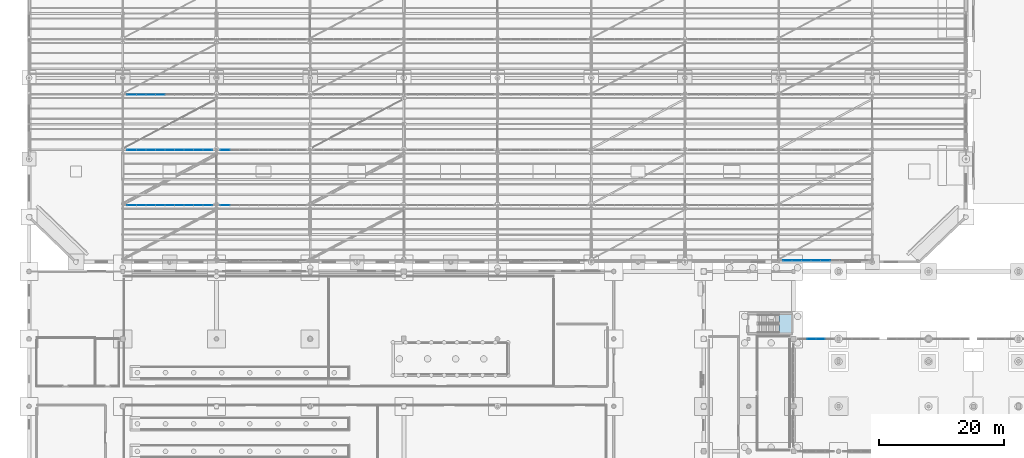
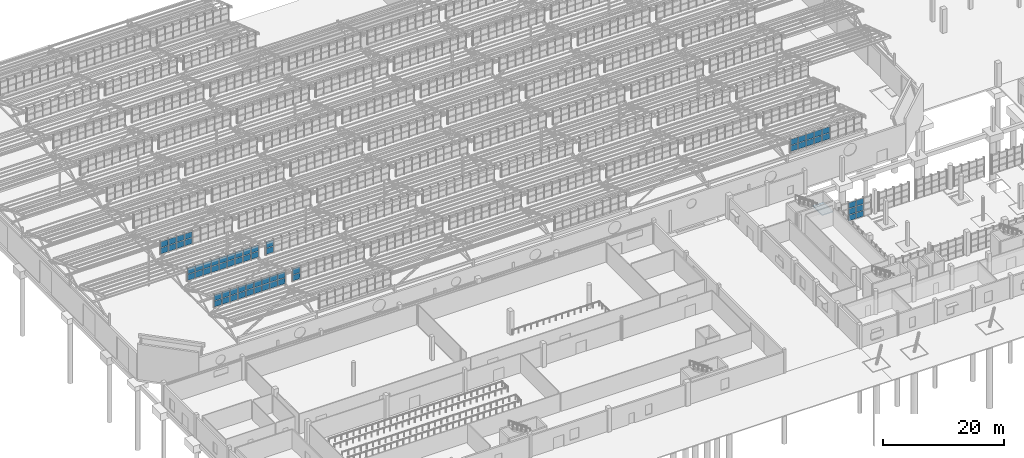
# One storey, part 164 of 285: 64 plates, 1 slab, 8 elements without a shape of their own.
"""IFC4 building model written with IfcOpenShell, lengths in metres."""

from ifc_helpers import new_model, si_unit, direction, frame, origin, origin_2d, place, context, subcontext, project, spatial, polyline, rectangle, outline, extrude, material, layer, layer_set, type_object, element, aggregate, save


model = new_model("IFC4")

# Units and contexts
model_context = context("Model", 3, precision=1e-05, world=origin(), true_north=direction((0.0, 1.0)))
body_context = subcontext(model_context, "Body", "Model", "MODEL_VIEW")
ifc_project = project(units=[si_unit("LENGTHUNIT", "METRE"), si_unit("AREAUNIT", "SQUARE_METRE"), si_unit("VOLUMEUNIT", "CUBIC_METRE"), si_unit("PLANEANGLEUNIT", "RADIAN"), si_unit("MASSUNIT", "GRAM", prefix="KILO")], contexts=[model_context])

# Site, building, storey
site_placement = place(None, origin())
site = spatial("IfcSite", under=ifc_project, at=site_placement, CompositionType="ELEMENT")
building_placement = place(site_placement, origin())
building = spatial("IfcBuilding", under=site, at=building_placement, Name="Solanera Park Tramway Depot", CompositionType="ELEMENT")
storey_placement = place(building_placement, origin())
storey = spatial("IfcBuildingStorey", under=building, at=storey_placement, Name="L00", CompositionType="ELEMENT", Elevation=0.0)

# Curtain wall, plates
ifc_material_1 = material(Name="Bronze-anodised thermally broken aluminium curtain wall", Category="aluminium")
curtain_wall_type_1 = type_object("IfcCurtainWallType", Name="Sawtooth Clerestory Monitor Curtain Wall", PredefinedType="NOTDEFINED", material=ifc_material_1)
curtain_wall_1_placement = place(storey_placement, origin())
curtain_wall_1 = element("IfcCurtainWall", 1, at=curtain_wall_1_placement, inside=storey, type_object=curtain_wall_type_1, Name="L00 Sawtooth Clerestory Monitor Curtain Wall #003", PredefinedType="NOTDEFINED")
ifc_material_2 = material(Name="Low-E laminated solar-control double glazing", Category="glass")
ifc_layer_1 = layer(ifc_material_2, 0.028076171875)
ifc_layer_set_1 = layer_set([ifc_layer_1], Name="Low-E laminated solar-control double glazing")
plate_type = type_object("IfcPlateType", Name="Curtain Wall Double Glazing Panel 28", PredefinedType="CURTAIN_PANEL", material=ifc_layer_set_1)
plate_1_placement = place(storey_placement, frame((121.427490234375, 55.75, 7.862060546875), z_axis=(0.0, 0.0, 1.0), x_axis=(1.0, 0.0, 0.0)))
plate_1 = element("IfcPlate", 2, at=plate_1_placement, type_object=plate_type, Name="CW-L00-003 Glazing Panel R1.C1", PredefinedType="CURTAIN_PANEL", context=body_context, shape_type="SweptSolid", body=[
    extrude(rectangle(XDim=1.437744140625, YDim=0.028076171875, at=origin_2d()), origin(), (0.0, 0.0, 1.0), 1.16650390625),
])
plate_2_placement = place(storey_placement, frame((122.933349609375, 55.75, 7.862060546875), z_axis=(0.0, 0.0, 1.0), x_axis=(1.0, 0.0, 0.0)))
plate_2 = element("IfcPlate", 3, at=plate_2_placement, type_object=plate_type, Name="CW-L00-003 Glazing Panel R1.C2", PredefinedType="CURTAIN_PANEL", context=body_context, shape_type="SweptSolid", body=[
    extrude(rectangle(XDim=1.47021484375, YDim=0.028076171875, at=origin_2d()), origin(), (0.0, 0.0, 1.0), 1.16650390625),
])
plate_3_placement = place(storey_placement, frame((124.45556640625, 55.75, 7.862060546875), z_axis=(0.0, 0.0, 1.0), x_axis=(1.0, 0.0, 0.0)))
plate_3 = element("IfcPlate", 4, at=plate_3_placement, type_object=plate_type, Name="CW-L00-003 Glazing Panel R1.C3", PredefinedType="CURTAIN_PANEL", context=body_context, shape_type="SweptSolid", body=[
    extrude(rectangle(XDim=1.47021484375, YDim=0.028076171875, at=origin_2d()), origin(), (0.0, 0.0, 1.0), 1.16650390625),
])
plate_4_placement = place(storey_placement, frame((125.977783203125, 55.75, 7.862060546875), z_axis=(0.0, 0.0, 1.0), x_axis=(1.0, 0.0, 0.0)))
plate_4 = element("IfcPlate", 5, at=plate_4_placement, type_object=plate_type, Name="CW-L00-003 Glazing Panel R1.C4", PredefinedType="CURTAIN_PANEL", context=body_context, shape_type="SweptSolid", body=[
    extrude(rectangle(XDim=1.47021484375, YDim=0.028076171875, at=origin_2d()), origin(), (0.0, 0.0, 1.0), 1.16650390625),
])
plate_5_placement = place(storey_placement, frame((127.5, 55.75, 7.862060546875), z_axis=(0.0, 0.0, 1.0), x_axis=(1.0, 0.0, 0.0)))
plate_5 = element("IfcPlate", 6, at=plate_5_placement, type_object=plate_type, Name="CW-L00-003 Glazing Panel R1.C5", PredefinedType="CURTAIN_PANEL", context=body_context, shape_type="SweptSolid", body=[
    extrude(rectangle(XDim=1.47021484375, YDim=0.028076171875, at=origin_2d()), origin(), (0.0, 0.0, 1.0), 1.16650390625),
])
plate_6_placement = place(storey_placement, frame((121.427490234375, 55.75, 9.132568359375), z_axis=(0.0, 0.0, 1.0), x_axis=(1.0, 0.0, 0.0)))
plate_6 = element("IfcPlate", 7, at=plate_6_placement, type_object=plate_type, Name="CW-L00-003 Glazing Panel R2.C1", PredefinedType="CURTAIN_PANEL", context=body_context, shape_type="SweptSolid", body=[
    extrude(rectangle(XDim=1.437744140625, YDim=0.028076171875, at=origin_2d()), origin(), (0.0, 0.0, 1.0), 1.16650390625),
])
plate_7_placement = place(storey_placement, frame((122.933349609375, 55.75, 9.132568359375), z_axis=(0.0, 0.0, 1.0), x_axis=(1.0, 0.0, 0.0)))
plate_7 = element("IfcPlate", 8, at=plate_7_placement, type_object=plate_type, Name="CW-L00-003 Glazing Panel R2.C2", PredefinedType="CURTAIN_PANEL", context=body_context, shape_type="SweptSolid", body=[
    extrude(rectangle(XDim=1.47021484375, YDim=0.028076171875, at=origin_2d()), origin(), (0.0, 0.0, 1.0), 1.16650390625),
])
plate_8_placement = place(storey_placement, frame((124.45556640625, 55.75, 9.132568359375), z_axis=(0.0, 0.0, 1.0), x_axis=(1.0, 0.0, 0.0)))
plate_8 = element("IfcPlate", 9, at=plate_8_placement, type_object=plate_type, Name="CW-L00-003 Glazing Panel R2.C3", PredefinedType="CURTAIN_PANEL", context=body_context, shape_type="SweptSolid", body=[
    extrude(rectangle(XDim=1.47021484375, YDim=0.028076171875, at=origin_2d()), origin(), (0.0, 0.0, 1.0), 1.16650390625),
])
plate_9_placement = place(storey_placement, frame((125.977783203125, 55.75, 9.132568359375), z_axis=(0.0, 0.0, 1.0), x_axis=(1.0, 0.0, 0.0)))
plate_9 = element("IfcPlate", 10, at=plate_9_placement, type_object=plate_type, Name="CW-L00-003 Glazing Panel R2.C4", PredefinedType="CURTAIN_PANEL", context=body_context, shape_type="SweptSolid", body=[
    extrude(rectangle(XDim=1.47021484375, YDim=0.028076171875, at=origin_2d()), origin(), (0.0, 0.0, 1.0), 1.16650390625),
])
plate_10_placement = place(storey_placement, frame((127.5, 55.75, 9.132568359375), z_axis=(0.0, 0.0, 1.0), x_axis=(1.0, 0.0, 0.0)))
plate_10 = element("IfcPlate", 11, at=plate_10_placement, type_object=plate_type, Name="CW-L00-003 Glazing Panel R2.C5", PredefinedType="CURTAIN_PANEL", context=body_context, shape_type="SweptSolid", body=[
    extrude(rectangle(XDim=1.47021484375, YDim=0.028076171875, at=origin_2d()), origin(), (0.0, 0.0, 1.0), 1.16650390625),
])
aggregate(curtain_wall_1, [plate_1, plate_2, plate_3, plate_4, plate_5, plate_6, plate_7, plate_8, plate_9, plate_10])

curtain_wall_2_placement = place(storey_placement, origin())
curtain_wall_2 = element("IfcCurtainWall", 12, at=curtain_wall_2_placement, inside=storey, type_object=curtain_wall_type_1, Name="L00 Sawtooth Clerestory Monitor Curtain Wall #004", PredefinedType="NOTDEFINED")
plate_11_placement = place(storey_placement, frame((16.427490234375, 64.60009765625, 7.862060546875), z_axis=(0.0, 0.0, 1.0), x_axis=(1.0, 0.0, 0.0)))
plate_11 = element("IfcPlate", 13, at=plate_11_placement, type_object=plate_type, Name="CW-L00-004 Glazing Panel R1.C1", PredefinedType="CURTAIN_PANEL", context=body_context, shape_type="SweptSolid", body=[
    extrude(rectangle(XDim=1.437744140625, YDim=0.028076171875, at=origin_2d()), origin(), (0.0, 0.0, 1.0), 1.16650390625),
])
plate_12_placement = place(storey_placement, frame((17.933349609375, 64.60009765625, 7.862060546875), z_axis=(0.0, 0.0, 1.0), x_axis=(1.0, 0.0, 0.0)))
plate_12 = element("IfcPlate", 14, at=plate_12_placement, type_object=plate_type, Name="CW-L00-004 Glazing Panel R1.C2", PredefinedType="CURTAIN_PANEL", context=body_context, shape_type="SweptSolid", body=[
    extrude(rectangle(XDim=1.47021484375, YDim=0.028076171875, at=origin_2d()), origin(), (0.0, 0.0, 1.0), 1.16650390625),
])
plate_13_placement = place(storey_placement, frame((19.45556640625, 64.60009765625, 7.862060546875), z_axis=(0.0, 0.0, 1.0), x_axis=(1.0, 0.0, 0.0)))
plate_13 = element("IfcPlate", 15, at=plate_13_placement, type_object=plate_type, Name="CW-L00-004 Glazing Panel R1.C3", PredefinedType="CURTAIN_PANEL", context=body_context, shape_type="SweptSolid", body=[
    extrude(rectangle(XDim=1.47021484375, YDim=0.028076171875, at=origin_2d()), origin(), (0.0, 0.0, 1.0), 1.16650390625),
])
plate_14_placement = place(storey_placement, frame((20.977783203125, 64.60009765625, 7.862060546875), z_axis=(0.0, 0.0, 1.0), x_axis=(1.0, 0.0, 0.0)))
plate_14 = element("IfcPlate", 16, at=plate_14_placement, type_object=plate_type, Name="CW-L00-004 Glazing Panel R1.C4", PredefinedType="CURTAIN_PANEL", context=body_context, shape_type="SweptSolid", body=[
    extrude(rectangle(XDim=1.47021484375, YDim=0.028076171875, at=origin_2d()), origin(), (0.0, 0.0, 1.0), 1.16650390625),
])
plate_15_placement = place(storey_placement, frame((22.5, 64.60009765625, 7.862060546875), z_axis=(0.0, 0.0, 1.0), x_axis=(1.0, 0.0, 0.0)))
plate_15 = element("IfcPlate", 17, at=plate_15_placement, type_object=plate_type, Name="CW-L00-004 Glazing Panel R1.C5", PredefinedType="CURTAIN_PANEL", context=body_context, shape_type="SweptSolid", body=[
    extrude(rectangle(XDim=1.47021484375, YDim=0.028076171875, at=origin_2d()), origin(), (0.0, 0.0, 1.0), 1.16650390625),
])
plate_16_placement = place(storey_placement, frame((24.022216796875, 64.60009765625, 7.862060546875), z_axis=(0.0, 0.0, 1.0), x_axis=(1.0, 0.0, 0.0)))
plate_16 = element("IfcPlate", 18, at=plate_16_placement, type_object=plate_type, Name="CW-L00-004 Glazing Panel R1.C6", PredefinedType="CURTAIN_PANEL", context=body_context, shape_type="SweptSolid", body=[
    extrude(rectangle(XDim=1.47021484375, YDim=0.028076171875, at=origin_2d()), origin(), (0.0, 0.0, 1.0), 1.16650390625),
])
plate_17_placement = place(storey_placement, frame((25.54443359375, 64.60009765625, 7.862060546875), z_axis=(0.0, 0.0, 1.0), x_axis=(1.0, 0.0, 0.0)))
plate_17 = element("IfcPlate", 19, at=plate_17_placement, type_object=plate_type, Name="CW-L00-004 Glazing Panel R1.C7", PredefinedType="CURTAIN_PANEL", context=body_context, shape_type="SweptSolid", body=[
    extrude(rectangle(XDim=1.47021484375, YDim=0.028076171875, at=origin_2d()), origin(), (0.0, 0.0, 1.0), 1.16650390625),
])
plate_18_placement = place(storey_placement, frame((27.066650390625, 64.60009765625, 7.862060546875), z_axis=(0.0, 0.0, 1.0), x_axis=(1.0, 0.0, 0.0)))
plate_18 = element("IfcPlate", 20, at=plate_18_placement, type_object=plate_type, Name="CW-L00-004 Glazing Panel R1.C8", PredefinedType="CURTAIN_PANEL", context=body_context, shape_type="SweptSolid", body=[
    extrude(rectangle(XDim=1.47021484375, YDim=0.028076171875, at=origin_2d()), origin(), (0.0, 0.0, 1.0), 1.16650390625),
])
plate_19_placement = place(storey_placement, frame((28.572509765625, 64.60009765625, 7.862060546875), z_axis=(0.0, 0.0, 1.0), x_axis=(1.0, 0.0, 0.0)))
plate_19 = element("IfcPlate", 21, at=plate_19_placement, type_object=plate_type, Name="CW-L00-004 Glazing Panel R1.C9", PredefinedType="CURTAIN_PANEL", context=body_context, shape_type="SweptSolid", body=[
    extrude(rectangle(XDim=1.437744140625, YDim=0.028076171875, at=origin_2d()), origin(), (0.0, 0.0, 1.0), 1.16650390625),
])
plate_20_placement = place(storey_placement, frame((16.427490234375, 64.60009765625, 9.132568359375), z_axis=(0.0, 0.0, 1.0), x_axis=(1.0, 0.0, 0.0)))
plate_20 = element("IfcPlate", 22, at=plate_20_placement, type_object=plate_type, Name="CW-L00-004 Glazing Panel R2.C1", PredefinedType="CURTAIN_PANEL", context=body_context, shape_type="SweptSolid", body=[
    extrude(rectangle(XDim=1.437744140625, YDim=0.028076171875, at=origin_2d()), origin(), (0.0, 0.0, 1.0), 1.16650390625),
])
plate_21_placement = place(storey_placement, frame((17.933349609375, 64.60009765625, 9.132568359375), z_axis=(0.0, 0.0, 1.0), x_axis=(1.0, 0.0, 0.0)))
plate_21 = element("IfcPlate", 23, at=plate_21_placement, type_object=plate_type, Name="CW-L00-004 Glazing Panel R2.C2", PredefinedType="CURTAIN_PANEL", context=body_context, shape_type="SweptSolid", body=[
    extrude(rectangle(XDim=1.47021484375, YDim=0.028076171875, at=origin_2d()), origin(), (0.0, 0.0, 1.0), 1.16650390625),
])
plate_22_placement = place(storey_placement, frame((19.45556640625, 64.60009765625, 9.132568359375), z_axis=(0.0, 0.0, 1.0), x_axis=(1.0, 0.0, 0.0)))
plate_22 = element("IfcPlate", 24, at=plate_22_placement, type_object=plate_type, Name="CW-L00-004 Glazing Panel R2.C3", PredefinedType="CURTAIN_PANEL", context=body_context, shape_type="SweptSolid", body=[
    extrude(rectangle(XDim=1.47021484375, YDim=0.028076171875, at=origin_2d()), origin(), (0.0, 0.0, 1.0), 1.16650390625),
])
plate_23_placement = place(storey_placement, frame((20.977783203125, 64.60009765625, 9.132568359375), z_axis=(0.0, 0.0, 1.0), x_axis=(1.0, 0.0, 0.0)))
plate_23 = element("IfcPlate", 25, at=plate_23_placement, type_object=plate_type, Name="CW-L00-004 Glazing Panel R2.C4", PredefinedType="CURTAIN_PANEL", context=body_context, shape_type="SweptSolid", body=[
    extrude(rectangle(XDim=1.47021484375, YDim=0.028076171875, at=origin_2d()), origin(), (0.0, 0.0, 1.0), 1.16650390625),
])
plate_24_placement = place(storey_placement, frame((22.5, 64.60009765625, 9.132568359375), z_axis=(0.0, 0.0, 1.0), x_axis=(1.0, 0.0, 0.0)))
plate_24 = element("IfcPlate", 26, at=plate_24_placement, type_object=plate_type, Name="CW-L00-004 Glazing Panel R2.C5", PredefinedType="CURTAIN_PANEL", context=body_context, shape_type="SweptSolid", body=[
    extrude(rectangle(XDim=1.47021484375, YDim=0.028076171875, at=origin_2d()), origin(), (0.0, 0.0, 1.0), 1.16650390625),
])
plate_25_placement = place(storey_placement, frame((24.022216796875, 64.60009765625, 9.132568359375), z_axis=(0.0, 0.0, 1.0), x_axis=(1.0, 0.0, 0.0)))
plate_25 = element("IfcPlate", 27, at=plate_25_placement, type_object=plate_type, Name="CW-L00-004 Glazing Panel R2.C6", PredefinedType="CURTAIN_PANEL", context=body_context, shape_type="SweptSolid", body=[
    extrude(rectangle(XDim=1.47021484375, YDim=0.028076171875, at=origin_2d()), origin(), (0.0, 0.0, 1.0), 1.16650390625),
])
plate_26_placement = place(storey_placement, frame((25.54443359375, 64.60009765625, 9.132568359375), z_axis=(0.0, 0.0, 1.0), x_axis=(1.0, 0.0, 0.0)))
plate_26 = element("IfcPlate", 28, at=plate_26_placement, type_object=plate_type, Name="CW-L00-004 Glazing Panel R2.C7", PredefinedType="CURTAIN_PANEL", context=body_context, shape_type="SweptSolid", body=[
    extrude(rectangle(XDim=1.47021484375, YDim=0.028076171875, at=origin_2d()), origin(), (0.0, 0.0, 1.0), 1.16650390625),
])
plate_27_placement = place(storey_placement, frame((27.066650390625, 64.60009765625, 9.132568359375), z_axis=(0.0, 0.0, 1.0), x_axis=(1.0, 0.0, 0.0)))
plate_27 = element("IfcPlate", 29, at=plate_27_placement, type_object=plate_type, Name="CW-L00-004 Glazing Panel R2.C8", PredefinedType="CURTAIN_PANEL", context=body_context, shape_type="SweptSolid", body=[
    extrude(rectangle(XDim=1.47021484375, YDim=0.028076171875, at=origin_2d()), origin(), (0.0, 0.0, 1.0), 1.16650390625),
])
plate_28_placement = place(storey_placement, frame((28.572509765625, 64.60009765625, 9.132568359375), z_axis=(0.0, 0.0, 1.0), x_axis=(1.0, 0.0, 0.0)))
plate_28 = element("IfcPlate", 30, at=plate_28_placement, type_object=plate_type, Name="CW-L00-004 Glazing Panel R2.C9", PredefinedType="CURTAIN_PANEL", context=body_context, shape_type="SweptSolid", body=[
    extrude(rectangle(XDim=1.437744140625, YDim=0.028076171875, at=origin_2d()), origin(), (0.0, 0.0, 1.0), 1.16650390625),
])
aggregate(curtain_wall_2, [plate_11, plate_12, plate_13, plate_14, plate_15, plate_16, plate_17, plate_18, plate_19, plate_20, plate_21, plate_22, plate_23, plate_24, plate_25, plate_26, plate_27, plate_28])

curtain_wall_3_placement = place(storey_placement, origin())
curtain_wall_3 = element("IfcCurtainWall", 31, at=curtain_wall_3_placement, inside=storey, type_object=curtain_wall_type_1, Name="L00 Sawtooth Clerestory Monitor Curtain Wall #005", PredefinedType="NOTDEFINED")
plate_29_placement = place(storey_placement, frame((31.427490234375, 64.60009765625, 7.862060546875), z_axis=(0.0, 0.0, 1.0), x_axis=(1.0, 0.0, 0.0)))
plate_29 = element("IfcPlate", 32, at=plate_29_placement, type_object=plate_type, Name="CW-L00-005 Glazing Panel R1.C1", PredefinedType="CURTAIN_PANEL", context=body_context, shape_type="SweptSolid", body=[
    extrude(rectangle(XDim=1.437744140625, YDim=0.028076171875, at=origin_2d()), origin(), (0.0, 0.0, 1.0), 1.16650390625),
])
plate_30_placement = place(storey_placement, frame((31.427490234375, 64.60009765625, 9.132568359375), z_axis=(0.0, 0.0, 1.0), x_axis=(1.0, 0.0, 0.0)))
plate_30 = element("IfcPlate", 33, at=plate_30_placement, type_object=plate_type, Name="CW-L00-005 Glazing Panel R2.C1", PredefinedType="CURTAIN_PANEL", context=body_context, shape_type="SweptSolid", body=[
    extrude(rectangle(XDim=1.437744140625, YDim=0.028076171875, at=origin_2d()), origin(), (0.0, 0.0, 1.0), 1.16650390625),
])
aggregate(curtain_wall_3, [plate_29, plate_30])

curtain_wall_4_placement = place(storey_placement, origin())
curtain_wall_4 = element("IfcCurtainWall", 34, at=curtain_wall_4_placement, inside=storey, type_object=curtain_wall_type_1, Name="L00 Sawtooth Clerestory Monitor Curtain Wall #012", PredefinedType="NOTDEFINED")
plate_31_placement = place(storey_placement, frame((16.427490234375, 73.449951171875, 7.862060546875), z_axis=(0.0, 0.0, 1.0), x_axis=(1.0, 0.0, 0.0)))
plate_31 = element("IfcPlate", 35, at=plate_31_placement, type_object=plate_type, Name="CW-L00-012 Glazing Panel R1.C1", PredefinedType="CURTAIN_PANEL", context=body_context, shape_type="SweptSolid", body=[
    extrude(rectangle(XDim=1.437744140625, YDim=0.028076171875, at=origin_2d()), origin(), (0.0, 0.0, 1.0), 1.16650390625),
])
plate_32_placement = place(storey_placement, frame((17.933349609375, 73.449951171875, 7.862060546875), z_axis=(0.0, 0.0, 1.0), x_axis=(1.0, 0.0, 0.0)))
plate_32 = element("IfcPlate", 36, at=plate_32_placement, type_object=plate_type, Name="CW-L00-012 Glazing Panel R1.C2", PredefinedType="CURTAIN_PANEL", context=body_context, shape_type="SweptSolid", body=[
    extrude(rectangle(XDim=1.47021484375, YDim=0.028076171875, at=origin_2d()), origin(), (0.0, 0.0, 1.0), 1.16650390625),
])
plate_33_placement = place(storey_placement, frame((19.45556640625, 73.449951171875, 7.862060546875), z_axis=(0.0, 0.0, 1.0), x_axis=(1.0, 0.0, 0.0)))
plate_33 = element("IfcPlate", 37, at=plate_33_placement, type_object=plate_type, Name="CW-L00-012 Glazing Panel R1.C3", PredefinedType="CURTAIN_PANEL", context=body_context, shape_type="SweptSolid", body=[
    extrude(rectangle(XDim=1.47021484375, YDim=0.028076171875, at=origin_2d()), origin(), (0.0, 0.0, 1.0), 1.16650390625),
])
plate_34_placement = place(storey_placement, frame((20.977783203125, 73.449951171875, 7.862060546875), z_axis=(0.0, 0.0, 1.0), x_axis=(1.0, 0.0, 0.0)))
plate_34 = element("IfcPlate", 38, at=plate_34_placement, type_object=plate_type, Name="CW-L00-012 Glazing Panel R1.C4", PredefinedType="CURTAIN_PANEL", context=body_context, shape_type="SweptSolid", body=[
    extrude(rectangle(XDim=1.47021484375, YDim=0.028076171875, at=origin_2d()), origin(), (0.0, 0.0, 1.0), 1.16650390625),
])
plate_35_placement = place(storey_placement, frame((22.5, 73.449951171875, 7.862060546875), z_axis=(0.0, 0.0, 1.0), x_axis=(1.0, 0.0, 0.0)))
plate_35 = element("IfcPlate", 39, at=plate_35_placement, type_object=plate_type, Name="CW-L00-012 Glazing Panel R1.C5", PredefinedType="CURTAIN_PANEL", context=body_context, shape_type="SweptSolid", body=[
    extrude(rectangle(XDim=1.47021484375, YDim=0.028076171875, at=origin_2d()), origin(), (0.0, 0.0, 1.0), 1.16650390625),
])
plate_36_placement = place(storey_placement, frame((24.022216796875, 73.449951171875, 7.862060546875), z_axis=(0.0, 0.0, 1.0), x_axis=(1.0, 0.0, 0.0)))
plate_36 = element("IfcPlate", 40, at=plate_36_placement, type_object=plate_type, Name="CW-L00-012 Glazing Panel R1.C6", PredefinedType="CURTAIN_PANEL", context=body_context, shape_type="SweptSolid", body=[
    extrude(rectangle(XDim=1.47021484375, YDim=0.028076171875, at=origin_2d()), origin(), (0.0, 0.0, 1.0), 1.16650390625),
])
plate_37_placement = place(storey_placement, frame((25.54443359375, 73.449951171875, 7.862060546875), z_axis=(0.0, 0.0, 1.0), x_axis=(1.0, 0.0, 0.0)))
plate_37 = element("IfcPlate", 41, at=plate_37_placement, type_object=plate_type, Name="CW-L00-012 Glazing Panel R1.C7", PredefinedType="CURTAIN_PANEL", context=body_context, shape_type="SweptSolid", body=[
    extrude(rectangle(XDim=1.47021484375, YDim=0.028076171875, at=origin_2d()), origin(), (0.0, 0.0, 1.0), 1.16650390625),
])
plate_38_placement = place(storey_placement, frame((27.066650390625, 73.449951171875, 7.862060546875), z_axis=(0.0, 0.0, 1.0), x_axis=(1.0, 0.0, 0.0)))
plate_38 = element("IfcPlate", 42, at=plate_38_placement, type_object=plate_type, Name="CW-L00-012 Glazing Panel R1.C8", PredefinedType="CURTAIN_PANEL", context=body_context, shape_type="SweptSolid", body=[
    extrude(rectangle(XDim=1.47021484375, YDim=0.028076171875, at=origin_2d()), origin(), (0.0, 0.0, 1.0), 1.16650390625),
])
plate_39_placement = place(storey_placement, frame((28.572509765625, 73.449951171875, 7.862060546875), z_axis=(0.0, 0.0, 1.0), x_axis=(1.0, 0.0, 0.0)))
plate_39 = element("IfcPlate", 43, at=plate_39_placement, type_object=plate_type, Name="CW-L00-012 Glazing Panel R1.C9", PredefinedType="CURTAIN_PANEL", context=body_context, shape_type="SweptSolid", body=[
    extrude(rectangle(XDim=1.437744140625, YDim=0.028076171875, at=origin_2d()), origin(), (0.0, 0.0, 1.0), 1.16650390625),
])
plate_40_placement = place(storey_placement, frame((16.427490234375, 73.449951171875, 9.132568359375), z_axis=(0.0, 0.0, 1.0), x_axis=(1.0, 0.0, 0.0)))
plate_40 = element("IfcPlate", 44, at=plate_40_placement, type_object=plate_type, Name="CW-L00-012 Glazing Panel R2.C1", PredefinedType="CURTAIN_PANEL", context=body_context, shape_type="SweptSolid", body=[
    extrude(rectangle(XDim=1.437744140625, YDim=0.028076171875, at=origin_2d()), origin(), (0.0, 0.0, 1.0), 1.16650390625),
])
plate_41_placement = place(storey_placement, frame((17.933349609375, 73.449951171875, 9.132568359375), z_axis=(0.0, 0.0, 1.0), x_axis=(1.0, 0.0, 0.0)))
plate_41 = element("IfcPlate", 45, at=plate_41_placement, type_object=plate_type, Name="CW-L00-012 Glazing Panel R2.C2", PredefinedType="CURTAIN_PANEL", context=body_context, shape_type="SweptSolid", body=[
    extrude(rectangle(XDim=1.47021484375, YDim=0.028076171875, at=origin_2d()), origin(), (0.0, 0.0, 1.0), 1.16650390625),
])
plate_42_placement = place(storey_placement, frame((19.45556640625, 73.449951171875, 9.132568359375), z_axis=(0.0, 0.0, 1.0), x_axis=(1.0, 0.0, 0.0)))
plate_42 = element("IfcPlate", 46, at=plate_42_placement, type_object=plate_type, Name="CW-L00-012 Glazing Panel R2.C3", PredefinedType="CURTAIN_PANEL", context=body_context, shape_type="SweptSolid", body=[
    extrude(rectangle(XDim=1.47021484375, YDim=0.028076171875, at=origin_2d()), origin(), (0.0, 0.0, 1.0), 1.16650390625),
])
plate_43_placement = place(storey_placement, frame((20.977783203125, 73.449951171875, 9.132568359375), z_axis=(0.0, 0.0, 1.0), x_axis=(1.0, 0.0, 0.0)))
plate_43 = element("IfcPlate", 47, at=plate_43_placement, type_object=plate_type, Name="CW-L00-012 Glazing Panel R2.C4", PredefinedType="CURTAIN_PANEL", context=body_context, shape_type="SweptSolid", body=[
    extrude(rectangle(XDim=1.47021484375, YDim=0.028076171875, at=origin_2d()), origin(), (0.0, 0.0, 1.0), 1.16650390625),
])
plate_44_placement = place(storey_placement, frame((22.5, 73.449951171875, 9.132568359375), z_axis=(0.0, 0.0, 1.0), x_axis=(1.0, 0.0, 0.0)))
plate_44 = element("IfcPlate", 48, at=plate_44_placement, type_object=plate_type, Name="CW-L00-012 Glazing Panel R2.C5", PredefinedType="CURTAIN_PANEL", context=body_context, shape_type="SweptSolid", body=[
    extrude(rectangle(XDim=1.47021484375, YDim=0.028076171875, at=origin_2d()), origin(), (0.0, 0.0, 1.0), 1.16650390625),
])
plate_45_placement = place(storey_placement, frame((24.022216796875, 73.449951171875, 9.132568359375), z_axis=(0.0, 0.0, 1.0), x_axis=(1.0, 0.0, 0.0)))
plate_45 = element("IfcPlate", 49, at=plate_45_placement, type_object=plate_type, Name="CW-L00-012 Glazing Panel R2.C6", PredefinedType="CURTAIN_PANEL", context=body_context, shape_type="SweptSolid", body=[
    extrude(rectangle(XDim=1.47021484375, YDim=0.028076171875, at=origin_2d()), origin(), (0.0, 0.0, 1.0), 1.16650390625),
])
plate_46_placement = place(storey_placement, frame((25.54443359375, 73.449951171875, 9.132568359375), z_axis=(0.0, 0.0, 1.0), x_axis=(1.0, 0.0, 0.0)))
plate_46 = element("IfcPlate", 50, at=plate_46_placement, type_object=plate_type, Name="CW-L00-012 Glazing Panel R2.C7", PredefinedType="CURTAIN_PANEL", context=body_context, shape_type="SweptSolid", body=[
    extrude(rectangle(XDim=1.47021484375, YDim=0.028076171875, at=origin_2d()), origin(), (0.0, 0.0, 1.0), 1.16650390625),
])
plate_47_placement = place(storey_placement, frame((27.066650390625, 73.449951171875, 9.132568359375), z_axis=(0.0, 0.0, 1.0), x_axis=(1.0, 0.0, 0.0)))
plate_47 = element("IfcPlate", 51, at=plate_47_placement, type_object=plate_type, Name="CW-L00-012 Glazing Panel R2.C8", PredefinedType="CURTAIN_PANEL", context=body_context, shape_type="SweptSolid", body=[
    extrude(rectangle(XDim=1.47021484375, YDim=0.028076171875, at=origin_2d()), origin(), (0.0, 0.0, 1.0), 1.16650390625),
])
plate_48_placement = place(storey_placement, frame((28.572509765625, 73.449951171875, 9.132568359375), z_axis=(0.0, 0.0, 1.0), x_axis=(1.0, 0.0, 0.0)))
plate_48 = element("IfcPlate", 52, at=plate_48_placement, type_object=plate_type, Name="CW-L00-012 Glazing Panel R2.C9", PredefinedType="CURTAIN_PANEL", context=body_context, shape_type="SweptSolid", body=[
    extrude(rectangle(XDim=1.437744140625, YDim=0.028076171875, at=origin_2d()), origin(), (0.0, 0.0, 1.0), 1.16650390625),
])
aggregate(curtain_wall_4, [plate_31, plate_32, plate_33, plate_34, plate_35, plate_36, plate_37, plate_38, plate_39, plate_40, plate_41, plate_42, plate_43, plate_44, plate_45, plate_46, plate_47, plate_48])

curtain_wall_5_placement = place(storey_placement, origin())
curtain_wall_5 = element("IfcCurtainWall", 53, at=curtain_wall_5_placement, inside=storey, type_object=curtain_wall_type_1, Name="L00 Sawtooth Clerestory Monitor Curtain Wall #013", PredefinedType="NOTDEFINED")
plate_49_placement = place(storey_placement, frame((31.427490234375, 73.449951171875, 7.862060546875), z_axis=(0.0, 0.0, 1.0), x_axis=(1.0, 0.0, 0.0)))
plate_49 = element("IfcPlate", 54, at=plate_49_placement, type_object=plate_type, Name="CW-L00-013 Glazing Panel R1.C1", PredefinedType="CURTAIN_PANEL", context=body_context, shape_type="SweptSolid", body=[
    extrude(rectangle(XDim=1.437744140625, YDim=0.028076171875, at=origin_2d()), origin(), (0.0, 0.0, 1.0), 1.16650390625),
])
plate_50_placement = place(storey_placement, frame((31.427490234375, 73.449951171875, 9.132568359375), z_axis=(0.0, 0.0, 1.0), x_axis=(1.0, 0.0, 0.0)))
plate_50 = element("IfcPlate", 55, at=plate_50_placement, type_object=plate_type, Name="CW-L00-013 Glazing Panel R2.C1", PredefinedType="CURTAIN_PANEL", context=body_context, shape_type="SweptSolid", body=[
    extrude(rectangle(XDim=1.437744140625, YDim=0.028076171875, at=origin_2d()), origin(), (0.0, 0.0, 1.0), 1.16650390625),
])
aggregate(curtain_wall_5, [plate_49, plate_50])

curtain_wall_6_placement = place(storey_placement, origin())
curtain_wall_6 = element("IfcCurtainWall", 56, at=curtain_wall_6_placement, inside=storey, type_object=curtain_wall_type_1, Name="L00 Sawtooth Clerestory Monitor Curtain Wall #020", PredefinedType="NOTDEFINED")
plate_51_placement = place(storey_placement, frame((16.427490234375, 82.300048828125, 7.862060546875), z_axis=(0.0, 0.0, 1.0), x_axis=(1.0, 0.0, 0.0)))
plate_51 = element("IfcPlate", 57, at=plate_51_placement, type_object=plate_type, Name="CW-L00-020 Glazing Panel R1.C1", PredefinedType="CURTAIN_PANEL", context=body_context, shape_type="SweptSolid", body=[
    extrude(rectangle(XDim=1.437744140625, YDim=0.028076171875, at=origin_2d()), origin(), (0.0, 0.0, 1.0), 1.16650390625),
])
plate_52_placement = place(storey_placement, frame((17.933349609375, 82.300048828125, 7.862060546875), z_axis=(0.0, 0.0, 1.0), x_axis=(1.0, 0.0, 0.0)))
plate_52 = element("IfcPlate", 58, at=plate_52_placement, type_object=plate_type, Name="CW-L00-020 Glazing Panel R1.C2", PredefinedType="CURTAIN_PANEL", context=body_context, shape_type="SweptSolid", body=[
    extrude(rectangle(XDim=1.47021484375, YDim=0.028076171875, at=origin_2d()), origin(), (0.0, 0.0, 1.0), 1.16650390625),
])
plate_53_placement = place(storey_placement, frame((19.45556640625, 82.300048828125, 7.862060546875), z_axis=(0.0, 0.0, 1.0), x_axis=(1.0, 0.0, 0.0)))
plate_53 = element("IfcPlate", 59, at=plate_53_placement, type_object=plate_type, Name="CW-L00-020 Glazing Panel R1.C3", PredefinedType="CURTAIN_PANEL", context=body_context, shape_type="SweptSolid", body=[
    extrude(rectangle(XDim=1.47021484375, YDim=0.028076171875, at=origin_2d()), origin(), (0.0, 0.0, 1.0), 1.16650390625),
])
plate_54_placement = place(storey_placement, frame((20.977783203125, 82.300048828125, 7.862060546875), z_axis=(0.0, 0.0, 1.0), x_axis=(1.0, 0.0, 0.0)))
plate_54 = element("IfcPlate", 60, at=plate_54_placement, type_object=plate_type, Name="CW-L00-020 Glazing Panel R1.C4", PredefinedType="CURTAIN_PANEL", context=body_context, shape_type="SweptSolid", body=[
    extrude(rectangle(XDim=1.47021484375, YDim=0.028076171875, at=origin_2d()), origin(), (0.0, 0.0, 1.0), 1.16650390625),
])
plate_55_placement = place(storey_placement, frame((16.427490234375, 82.300048828125, 9.132568359375), z_axis=(0.0, 0.0, 1.0), x_axis=(1.0, 0.0, 0.0)))
plate_55 = element("IfcPlate", 61, at=plate_55_placement, type_object=plate_type, Name="CW-L00-020 Glazing Panel R2.C1", PredefinedType="CURTAIN_PANEL", context=body_context, shape_type="SweptSolid", body=[
    extrude(rectangle(XDim=1.437744140625, YDim=0.028076171875, at=origin_2d()), origin(), (0.0, 0.0, 1.0), 1.16650390625),
])
plate_56_placement = place(storey_placement, frame((17.933349609375, 82.300048828125, 9.132568359375), z_axis=(0.0, 0.0, 1.0), x_axis=(1.0, 0.0, 0.0)))
plate_56 = element("IfcPlate", 62, at=plate_56_placement, type_object=plate_type, Name="CW-L00-020 Glazing Panel R2.C2", PredefinedType="CURTAIN_PANEL", context=body_context, shape_type="SweptSolid", body=[
    extrude(rectangle(XDim=1.47021484375, YDim=0.028076171875, at=origin_2d()), origin(), (0.0, 0.0, 1.0), 1.16650390625),
])
plate_57_placement = place(storey_placement, frame((19.45556640625, 82.300048828125, 9.132568359375), z_axis=(0.0, 0.0, 1.0), x_axis=(1.0, 0.0, 0.0)))
plate_57 = element("IfcPlate", 63, at=plate_57_placement, type_object=plate_type, Name="CW-L00-020 Glazing Panel R2.C3", PredefinedType="CURTAIN_PANEL", context=body_context, shape_type="SweptSolid", body=[
    extrude(rectangle(XDim=1.47021484375, YDim=0.028076171875, at=origin_2d()), origin(), (0.0, 0.0, 1.0), 1.16650390625),
])
plate_58_placement = place(storey_placement, frame((20.977783203125, 82.300048828125, 9.132568359375), z_axis=(0.0, 0.0, 1.0), x_axis=(1.0, 0.0, 0.0)))
plate_58 = element("IfcPlate", 64, at=plate_58_placement, type_object=plate_type, Name="CW-L00-020 Glazing Panel R2.C4", PredefinedType="CURTAIN_PANEL", context=body_context, shape_type="SweptSolid", body=[
    extrude(rectangle(XDim=1.47021484375, YDim=0.028076171875, at=origin_2d()), origin(), (0.0, 0.0, 1.0), 1.16650390625),
])
aggregate(curtain_wall_6, [plate_51, plate_52, plate_53, plate_54, plate_55, plate_56, plate_57, plate_58])

ifc_material_3 = material(Name="Bronze-anodised thermally broken aluminium curtain wall", Category="aluminium")
curtain_wall_type_2 = type_object("IfcCurtainWallType", Name="Courtyard Cloister Unitised Curtain Wall", PredefinedType="NOTDEFINED", material=ifc_material_3)
curtain_wall_7_placement = place(storey_placement, origin())
curtain_wall_7 = element("IfcCurtainWall", 65, at=curtain_wall_7_placement, inside=storey, type_object=curtain_wall_type_2, Name="L00 Courtyard Cloister Unitised Curtain Wall #078", PredefinedType="NOTDEFINED")
plate_59_placement = place(storey_placement, frame((126.72509765625, 43.199951171875, 0.11181640625), z_axis=(0.0, 0.0, 1.0), x_axis=(-1.0, 0.0, 0.0)))
plate_59 = element("IfcPlate", 66, at=plate_59_placement, type_object=plate_type, Name="CW-L00-078 Glazing Panel R1.C2", PredefinedType="CURTAIN_PANEL", context=body_context, shape_type="SweptSolid", body=[
    extrude(rectangle(XDim=1.39794921875, YDim=0.028076171875, at=origin_2d()), origin(), (0.0, 0.0, 1.0), 1.119384765625),
])
plate_60_placement = place(storey_placement, frame((125.27490234375, 43.199951171875, 0.11181640625), z_axis=(0.0, 0.0, 1.0), x_axis=(-1.0, 0.0, 0.0)))
plate_60 = element("IfcPlate", 67, at=plate_60_placement, type_object=plate_type, Name="CW-L00-078 Glazing Panel R1.C3", PredefinedType="CURTAIN_PANEL", context=body_context, shape_type="SweptSolid", body=[
    extrude(rectangle(XDim=1.39794921875, YDim=0.028076171875, at=origin_2d()), origin(), (0.0, 0.0, 1.0), 1.119384765625),
])
plate_61_placement = place(storey_placement, frame((126.72509765625, 43.199951171875, 1.33544921875), z_axis=(0.0, 0.0, 1.0), x_axis=(-1.0, 0.0, 0.0)))
plate_61 = element("IfcPlate", 68, at=plate_61_placement, type_object=plate_type, Name="CW-L00-078 Glazing Panel R2.C2", PredefinedType="CURTAIN_PANEL", context=body_context, shape_type="SweptSolid", body=[
    extrude(rectangle(XDim=1.39794921875, YDim=0.028076171875, at=origin_2d()), origin(), (0.0, 0.0, 1.0), 1.179443359375),
])
plate_62_placement = place(storey_placement, frame((125.27490234375, 43.199951171875, 1.33544921875), z_axis=(0.0, 0.0, 1.0), x_axis=(-1.0, 0.0, 0.0)))
plate_62 = element("IfcPlate", 69, at=plate_62_placement, type_object=plate_type, Name="CW-L00-078 Glazing Panel R2.C3", PredefinedType="CURTAIN_PANEL", context=body_context, shape_type="SweptSolid", body=[
    extrude(rectangle(XDim=1.39794921875, YDim=0.028076171875, at=origin_2d()), origin(), (0.0, 0.0, 1.0), 1.179443359375),
])
plate_63_placement = place(storey_placement, frame((126.72509765625, 43.199951171875, 2.61865234375), z_axis=(0.0, 0.0, 1.0), x_axis=(-1.0, 0.0, 0.0)))
plate_63 = element("IfcPlate", 70, at=plate_63_placement, type_object=plate_type, Name="CW-L00-078 Glazing Panel R3.C2", PredefinedType="CURTAIN_PANEL", context=body_context, shape_type="SweptSolid", body=[
    extrude(rectangle(XDim=1.39794921875, YDim=0.028076171875, at=origin_2d()), origin(), (0.0, 0.0, 1.0), 1.119384765625),
])
plate_64_placement = place(storey_placement, frame((125.27490234375, 43.199951171875, 2.61865234375), z_axis=(0.0, 0.0, 1.0), x_axis=(-1.0, 0.0, 0.0)))
plate_64 = element("IfcPlate", 71, at=plate_64_placement, type_object=plate_type, Name="CW-L00-078 Glazing Panel R3.C3", PredefinedType="CURTAIN_PANEL", context=body_context, shape_type="SweptSolid", body=[
    extrude(rectangle(XDim=1.39794921875, YDim=0.028076171875, at=origin_2d()), origin(), (0.0, 0.0, 1.0), 1.119384765625),
])
aggregate(curtain_wall_7, [plate_59, plate_60, plate_61, plate_62, plate_63, plate_64])

# Stair, slab
ifc_material_4 = material(Name="Concrete N40 (C40/50)", Category="concrete")
stair_type = type_object("IfcStairType", Name="Stair Half-Turn Dogleg 4800", PredefinedType="HALF_TURN_STAIR", material=ifc_material_4)
stair_placement = place(storey_placement, origin())
stair = element("IfcStair", 72, at=stair_placement, inside=storey, type_object=stair_type, Name="ST-07 L00 Half-Turn Stair", PredefinedType="HALF_TURN_STAIR")
ifc_material_5 = material(Name="Concrete N40 (C40/50)", Category="concrete")
ifc_layer_2 = layer(ifc_material_5, 0.199951171875)
ifc_layer_set_2 = layer_set([ifc_layer_2], Name="Concrete N40 (C40/50)")
slab_type = type_object("IfcSlabType", Name="Slab Stair Landing 200", PredefinedType="LANDING", material=ifc_layer_set_2)
slab_placement = place(storey_placement, frame((0.0, 0.0, 2.199951171875)))
slab = element("IfcSlab", 73, at=slab_placement, type_object=slab_type, Name="ST-07 L00 Half-Landing 1", PredefinedType="LANDING", context=body_context, shape_type="SweptSolid", body=[
    extrude(outline(polyline([(120.06005859375, 44.080078125), (122.1201171875, 44.080078125), (122.1201171875, 47.219970703125), (120.06005859375, 47.219970703125), (120.06005859375, 44.080078125)])), origin(), (0.0, 0.0, 1.0), 0.199951171875),
])
aggregate(stair, [slab])

save(model, "model.ifc")
